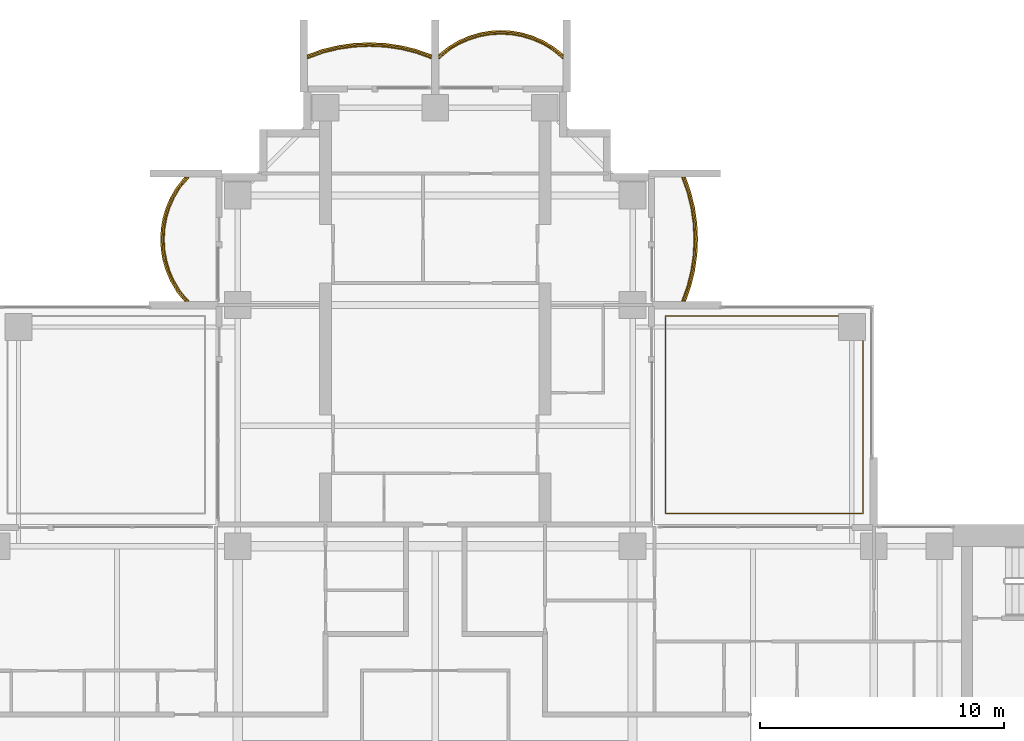
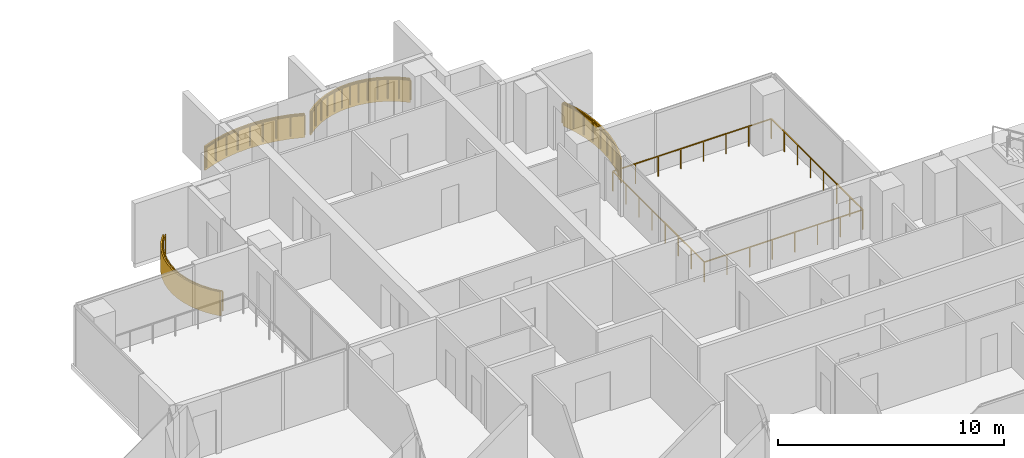
# One storey, part 18 of 18: 5 railings, 4 coverings.
"""IFC4 building model written with IfcOpenShell, lengths in metres."""

from ifc_helpers import new_model, si_unit, direction, frame, origin, origin_2d, place, context, subcontext, project, spatial, polyline, rectangle, outline, extrude, material, layer, layer_set, type_object, element, save


model = new_model("IFC4")

# Units and contexts
model_context = context("Model", 3, precision=1e-05, world=origin(), true_north=direction((0.0, 1.0)))
body_context = subcontext(model_context, "Body", "Model", "MODEL_VIEW")
ifc_project = project(units=[si_unit("LENGTHUNIT", "METRE"), si_unit("AREAUNIT", "SQUARE_METRE"), si_unit("VOLUMEUNIT", "CUBIC_METRE"), si_unit("PLANEANGLEUNIT", "RADIAN"), si_unit("MASSUNIT", "GRAM", prefix="KILO")], contexts=[model_context])

# Site, building, storey
site_placement = place(None, origin())
site = spatial("IfcSite", under=ifc_project, at=site_placement, CompositionType="ELEMENT")
building_placement = place(site_placement, origin())
building = spatial("IfcBuilding", under=site, at=building_placement, Name="Perihelion Cross Residences", CompositionType="ELEMENT")
storey_placement = place(building_placement, frame((0.0, 0.0, 123.39990234375)))
storey = spatial("IfcBuildingStorey", under=building, at=storey_placement, Name="L29", CompositionType="ELEMENT", Elevation=123.39990234375)

# Coverings
ifc_material_1 = material(Name="Bronze anodised aluminium", Category="aluminium")
ifc_layer = layer(ifc_material_1, 0.070068359375)
ifc_layer_set = layer_set([ifc_layer], Name="Balcony fascia 1300")
covering_type = type_object("IfcCoveringType", Name="Balcony fascia 1300", PredefinedType="CLADDING", material=ifc_layer_set)
covering_1_placement = place(storey_placement, frame((0.0, 0.0, -0.199951171875)))
element("IfcCovering", 1, at=covering_1_placement, inside=storey, type_object=covering_type, Name="Fascia BF1 L29 north side east bay 2", PredefinedType="CLADDING", context=body_context, shape_type="SweptSolid", body=[
    extrude(outline(polyline([(10.49072265625, 18.767578125), (10.647216796875, 19.411865234375), (10.739501953125, 20.055908203125), (10.77001953125, 20.699951171875), (10.739501953125, 21.34423828125), (10.647216796875, 21.98828125), (10.49072265625, 22.63232421875), (10.274169921875, 23.25), (10.199951171875, 23.25), (10.423583984375, 22.612548828125), (10.57861328125, 21.97509765625), (10.669921875, 21.33740234375), (10.699951171875, 20.699951171875), (10.669921875, 20.0625), (10.57861328125, 19.425048828125), (10.423583984375, 18.78759765625), (10.199951171875, 18.14990234375), (10.274169921875, 18.14990234375), (10.49072265625, 18.767578125)])), origin(), (0.0, 0.0, 1.0), 1.300048828125),
])
covering_2_placement = place(storey_placement, frame((0.0, 0.0, -0.199951171875)))
element("IfcCovering", 2, at=covering_2_placement, inside=storey, type_object=covering_type, Name="Fascia BF1 L29 north tip north bay 1", PredefinedType="CLADDING", context=body_context, shape_type="SweptSolid", body=[
    extrude(outline(polyline([(4.86474609375, 28.59765625), (4.431884765625, 28.85498046875), (3.998779296875, 29.04248046875), (3.56591796875, 29.170654296875), (3.133056640625, 29.245361328125), (2.699951171875, 29.27001953125), (2.26708984375, 29.245361328125), (1.833984375, 29.170654296875), (1.401123046875, 29.04248046875), (0.96826171875, 28.85498046875), (0.53515625, 28.59765625), (0.14990234375, 28.28955078125), (0.14990234375, 28.199951171875), (0.574951171875, 28.5400390625), (1.0, 28.792724609375), (1.425048828125, 28.9765625), (1.85009765625, 29.1025390625), (2.27490234375, 29.17578125), (2.699951171875, 29.199951171875), (3.125, 29.17578125), (3.550048828125, 29.1025390625), (3.97509765625, 28.9765625), (4.39990234375, 28.792724609375), (4.824951171875, 28.5400390625), (5.25, 28.199951171875), (5.25, 28.28955078125), (4.86474609375, 28.59765625)])), origin(), (0.0, 0.0, 1.0), 1.300048828125),
])
covering_3_placement = place(storey_placement, frame((0.0, 0.0, -0.199951171875)))
element("IfcCovering", 3, at=covering_3_placement, inside=storey, type_object=covering_type, Name="Fascia BF1 L29 north tip north bay 2", PredefinedType="CLADDING", context=body_context, shape_type="SweptSolid", body=[
    extrude(outline(polyline([(-0.767578125, 28.49072265625), (-1.411865234375, 28.647216796875), (-2.055908203125, 28.739501953125), (-2.699951171875, 28.77001953125), (-3.34423828125, 28.739501953125), (-3.98828125, 28.647216796875), (-4.63232421875, 28.49072265625), (-5.25, 28.274169921875), (-5.25, 28.199951171875), (-4.612548828125, 28.423583984375), (-3.97509765625, 28.57861328125), (-3.33740234375, 28.669921875), (-2.699951171875, 28.699951171875), (-2.0625, 28.669921875), (-1.425048828125, 28.57861328125), (-0.78759765625, 28.423583984375), (-0.14990234375, 28.199951171875), (-0.14990234375, 28.274169921875), (-0.767578125, 28.49072265625)])), origin(), (0.0, 0.0, 1.0), 1.300048828125),
])
covering_4_placement = place(storey_placement, frame((0.0, 0.0, -0.199951171875)))
element("IfcCovering", 4, at=covering_4_placement, inside=storey, type_object=covering_type, Name="Fascia BF1 L29 north side west bay 1", PredefinedType="CLADDING", context=body_context, shape_type="SweptSolid", body=[
    extrude(outline(polyline([(-10.59765625, 22.86474609375), (-10.85498046875, 22.431884765625), (-11.04248046875, 21.998779296875), (-11.170654296875, 21.56591796875), (-11.245361328125, 21.133056640625), (-11.27001953125, 20.699951171875), (-11.245361328125, 20.26708984375), (-11.170654296875, 19.833984375), (-11.04248046875, 19.401123046875), (-10.85498046875, 18.96826171875), (-10.59765625, 18.53515625), (-10.28955078125, 18.14990234375), (-10.199951171875, 18.14990234375), (-10.5400390625, 18.574951171875), (-10.792724609375, 19.0), (-10.9765625, 19.425048828125), (-11.1025390625, 19.85009765625), (-11.17578125, 20.27490234375), (-11.199951171875, 20.699951171875), (-11.17578125, 21.125), (-11.1025390625, 21.550048828125), (-10.9765625, 21.97509765625), (-10.792724609375, 22.39990234375), (-10.5400390625, 22.824951171875), (-10.199951171875, 23.25), (-10.28955078125, 23.25), (-10.59765625, 22.86474609375)])), origin(), (0.0, 0.0, 1.0), 1.300048828125),
])

# Railings
ifc_material_2 = material(Name="Bronze anodised aluminium", Category="aluminium")
railing_type = type_object("IfcRailingType", Name="Balcony guard 1100", PredefinedType="GUARDRAIL", material=ifc_material_2)
railing_1_placement = place(storey_placement, frame((10.139892578125, 18.175048828125, 0.0)))
element("IfcRailing", 5, at=railing_1_placement, inside=storey, type_object=railing_type, Name="Guard GU1 L29 north side east bay 2 balcony", PredefinedType="GUARDRAIL", context=body_context, shape_type="SweptSolid", body=[
    extrude(rectangle(XDim=0.048095703125, YDim=0.048095703125, at=origin_2d()), frame((0.0, 0.0, 1.076171875), z_axis=(0.342945217749, 0.939355405384, 0.0), x_axis=(-0.939355405384, 0.342945217749, 0.0)), (0.0, 0.0, 1.0), 0.652099609375),
    extrude(rectangle(XDim=0.048095703125, YDim=0.048095703125, at=origin_2d()), frame((0.2236328125, 0.612548828125, 1.076171875), z_axis=(0.236313594268, 0.971676841941, 0.0), x_axis=(-0.971676841941, 0.236313594268, 0.0)), (0.0, 0.0, 1.0), 0.656005859375),
    extrude(rectangle(XDim=0.048095703125, YDim=0.048095703125, at=origin_2d()), frame((0.378662109375, 1.25, 1.076171875), z_axis=(0.141792889142, 0.989896346386, 0.0), x_axis=(-0.989896346386, 0.141792889142, 0.0)), (0.0, 0.0, 1.0), 0.64404296875),
    extrude(rectangle(XDim=0.048095703125, YDim=0.048095703125, at=origin_2d()), frame((0.469970703125, 1.887451171875, 1.076171875), z_axis=(0.04705620296, 0.998892243319, 0.0), x_axis=(-0.998892243319, 0.04705620296, 0.0)), (0.0, 0.0, 1.0), 0.63818359375),
    extrude(rectangle(XDim=0.048095703125, YDim=0.048095703125, at=origin_2d()), frame((0.5, 2.52490234375, 1.076171875), z_axis=(-0.04705620296, 0.998892243319, 0.0), x_axis=(-0.998892243319, -0.04705620296, 0.0)), (0.0, 0.0, 1.0), 0.63818359375),
    extrude(rectangle(XDim=0.048095703125, YDim=0.048095703125, at=origin_2d()), frame((0.469970703125, 3.162353515625, 1.076171875), z_axis=(-0.141739694763, 0.989903964498, 0.0), x_axis=(-0.989903964498, -0.141739694763, 0.0)), (0.0, 0.0, 1.0), 0.644287109375),
    extrude(rectangle(XDim=0.048095703125, YDim=0.048095703125, at=origin_2d()), frame((0.378662109375, 3.800048828125, 1.076171875), z_axis=(-0.236313594268, 0.971676841941, 0.0), x_axis=(-0.971676841941, -0.236313594268, 0.0)), (0.0, 0.0, 1.0), 0.656005859375),
    extrude(rectangle(XDim=0.048095703125, YDim=0.048095703125, at=origin_2d()), frame((0.2236328125, 4.4375, 1.076171875), z_axis=(-0.342945217749, 0.939355405384, 0.0), x_axis=(-0.939355405384, -0.342945217749, 0.0)), (0.0, 0.0, 1.0), 0.652099609375),
    extrude(rectangle(XDim=0.0419921875, YDim=0.0419921875, at=origin_2d()), origin(), (0.0, 0.0, 1.0), 1.052001953125),
    extrude(rectangle(XDim=0.0419921875, YDim=0.0419921875, at=origin_2d()), frame((0.2236328125, 0.612548828125, 0.0)), (0.0, 0.0, 1.0), 1.052001953125),
    extrude(rectangle(XDim=0.0419921875, YDim=0.0419921875, at=origin_2d()), frame((0.378662109375, 1.25, 0.0)), (0.0, 0.0, 1.0), 1.052001953125),
    extrude(rectangle(XDim=0.0419921875, YDim=0.0419921875, at=origin_2d()), frame((0.469970703125, 1.887451171875, 0.0)), (0.0, 0.0, 1.0), 1.052001953125),
    extrude(rectangle(XDim=0.0419921875, YDim=0.0419921875, at=origin_2d()), frame((0.5, 2.52490234375, 0.0)), (0.0, 0.0, 1.0), 1.052001953125),
    extrude(rectangle(XDim=0.0419921875, YDim=0.0419921875, at=origin_2d()), frame((0.469970703125, 3.162353515625, 0.0)), (0.0, 0.0, 1.0), 1.052001953125),
    extrude(rectangle(XDim=0.0419921875, YDim=0.0419921875, at=origin_2d()), frame((0.378662109375, 3.800048828125, 0.0)), (0.0, 0.0, 1.0), 1.052001953125),
    extrude(rectangle(XDim=0.0419921875, YDim=0.0419921875, at=origin_2d()), frame((0.2236328125, 4.4375, 0.0)), (0.0, 0.0, 1.0), 1.052001953125),
    extrude(rectangle(XDim=0.0419921875, YDim=0.0419921875, at=origin_2d()), frame((0.0, 5.050048828125, 0.0)), (0.0, 0.0, 1.0), 1.052001953125),
])
railing_2_placement = place(storey_placement, frame((5.22509765625, 28.139892578125, 0.0)))
element("IfcRailing", 6, at=railing_2_placement, inside=storey, type_object=railing_type, Name="Guard GU1 L29 north tip north bay 1 balcony", PredefinedType="GUARDRAIL", context=body_context, shape_type="SweptSolid", body=[
    extrude(rectangle(XDim=0.048095703125, YDim=0.048095703125, at=origin_2d()), frame((0.0, 0.0, 1.076171875), z_axis=(-0.761973728849, 0.647607934281, 0.0), x_axis=(-0.647607934281, -0.761973728849, 0.0)), (0.0, 0.0, 1.0), 0.525146484375),
    extrude(rectangle(XDim=0.048095703125, YDim=0.048095703125, at=origin_2d()), frame((-0.400146484375, 0.340087890625, 1.076171875), z_axis=(-0.859576918062, 0.511006381501, 0.0), x_axis=(-0.511006381501, -0.859576918062, 0.0)), (0.0, 0.0, 1.0), 0.494384765625),
    extrude(rectangle(XDim=0.048095703125, YDim=0.048095703125, at=origin_2d()), frame((-0.8251953125, 0.5927734375, 1.076171875), z_axis=(-0.91755562531, 0.397607437634, 0.0), x_axis=(-0.397607437634, -0.91755562531, 0.0)), (0.0, 0.0, 1.0), 0.462890625),
    extrude(rectangle(XDim=0.048095703125, YDim=0.048095703125, at=origin_2d()), frame((-1.25, 0.77685546875, 1.076171875), z_axis=(-0.958925815697, 0.283656975924, 0.0), x_axis=(-0.283656975924, -0.958925815697, 0.0)), (0.0, 0.0, 1.0), 0.443359375),
    extrude(rectangle(XDim=0.048095703125, YDim=0.048095703125, at=origin_2d()), frame((-1.675048828125, 0.902587890625, 1.076171875), z_axis=(-0.985381583142, 0.17036177859, 0.0), x_axis=(-0.17036177859, -0.985381583142, 0.0)), (0.0, 0.0, 1.0), 0.431396484375),
    extrude(rectangle(XDim=0.048095703125, YDim=0.048095703125, at=origin_2d()), frame((-2.10009765625, 0.97607421875, 1.076171875), z_axis=(-0.9984195016, 0.056200523353, 0.0), x_axis=(-0.056200523353, -0.9984195016, 0.0)), (0.0, 0.0, 1.0), 0.42578125),
    extrude(rectangle(XDim=0.048095703125, YDim=0.048095703125, at=origin_2d()), frame((-2.525146484375, 1.0, 1.076171875), z_axis=(-0.9984195016, -0.056200523353, 0.0), x_axis=(0.056200523353, -0.9984195016, 0.0)), (0.0, 0.0, 1.0), 0.42578125),
    extrude(rectangle(XDim=0.048095703125, YDim=0.048095703125, at=origin_2d()), frame((-2.9501953125, 0.97607421875, 1.076171875), z_axis=(-0.985365142702, -0.170456843651, 0.0), x_axis=(0.170456843651, -0.985365142702, 0.0)), (0.0, 0.0, 1.0), 0.43115234375),
    extrude(rectangle(XDim=0.048095703125, YDim=0.048095703125, at=origin_2d()), frame((-3.375, 0.902587890625, 1.076171875), z_axis=(-0.958925815697, -0.283656975924, 0.0), x_axis=(0.283656975924, -0.958925815697, 0.0)), (0.0, 0.0, 1.0), 0.443359375),
    extrude(rectangle(XDim=0.048095703125, YDim=0.048095703125, at=origin_2d()), frame((-3.800048828125, 0.77685546875, 1.076171875), z_axis=(-0.917638931453, -0.397415137459, 0.0), x_axis=(0.397415137459, -0.917638931453, 0.0)), (0.0, 0.0, 1.0), 0.463134765625),
    extrude(rectangle(XDim=0.048095703125, YDim=0.048095703125, at=origin_2d()), frame((-4.22509765625, 0.5927734375, 1.076171875), z_axis=(-0.859576918062, -0.511006381501, 0.0), x_axis=(0.511006381501, -0.859576918062, 0.0)), (0.0, 0.0, 1.0), 0.494384765625),
    extrude(rectangle(XDim=0.048095703125, YDim=0.048095703125, at=origin_2d()), frame((-4.650146484375, 0.340087890625, 1.076171875), z_axis=(-0.761778647315, -0.647837396648, 0.0), x_axis=(0.647837396648, -0.761778647315, 0.0)), (0.0, 0.0, 1.0), 0.52490234375),
    extrude(rectangle(XDim=0.0419921875, YDim=0.0419921875, at=origin_2d()), origin(), (0.0, 0.0, 1.0), 1.052001953125),
    extrude(rectangle(XDim=0.0419921875, YDim=0.0419921875, at=origin_2d()), frame((-0.400146484375, 0.340087890625, 0.0)), (0.0, 0.0, 1.0), 1.052001953125),
    extrude(rectangle(XDim=0.0419921875, YDim=0.0419921875, at=origin_2d()), frame((-0.8251953125, 0.5927734375, 0.0)), (0.0, 0.0, 1.0), 1.052001953125),
    extrude(rectangle(XDim=0.0419921875, YDim=0.0419921875, at=origin_2d()), frame((-1.25, 0.77685546875, 0.0)), (0.0, 0.0, 1.0), 1.052001953125),
    extrude(rectangle(XDim=0.0419921875, YDim=0.0419921875, at=origin_2d()), frame((-1.675048828125, 0.902587890625, 0.0)), (0.0, 0.0, 1.0), 1.052001953125),
    extrude(rectangle(XDim=0.0419921875, YDim=0.0419921875, at=origin_2d()), frame((-2.10009765625, 0.97607421875, 0.0)), (0.0, 0.0, 1.0), 1.052001953125),
    extrude(rectangle(XDim=0.0419921875, YDim=0.0419921875, at=origin_2d()), frame((-2.525146484375, 1.0, 0.0)), (0.0, 0.0, 1.0), 1.052001953125),
    extrude(rectangle(XDim=0.0419921875, YDim=0.0419921875, at=origin_2d()), frame((-2.9501953125, 0.97607421875, 0.0)), (0.0, 0.0, 1.0), 1.052001953125),
    extrude(rectangle(XDim=0.0419921875, YDim=0.0419921875, at=origin_2d()), frame((-3.375, 0.902587890625, 0.0)), (0.0, 0.0, 1.0), 1.052001953125),
    extrude(rectangle(XDim=0.0419921875, YDim=0.0419921875, at=origin_2d()), frame((-3.800048828125, 0.77685546875, 0.0)), (0.0, 0.0, 1.0), 1.052001953125),
    extrude(rectangle(XDim=0.0419921875, YDim=0.0419921875, at=origin_2d()), frame((-4.22509765625, 0.5927734375, 0.0)), (0.0, 0.0, 1.0), 1.052001953125),
    extrude(rectangle(XDim=0.0419921875, YDim=0.0419921875, at=origin_2d()), frame((-4.650146484375, 0.340087890625, 0.0)), (0.0, 0.0, 1.0), 1.052001953125),
    extrude(rectangle(XDim=0.0419921875, YDim=0.0419921875, at=origin_2d()), frame((-5.050048828125, 0.0, 0.0)), (0.0, 0.0, 1.0), 1.052001953125),
])
railing_3_placement = place(storey_placement, frame((-0.175048828125, 28.139892578125, 0.0)))
element("IfcRailing", 7, at=railing_3_placement, inside=storey, type_object=railing_type, Name="Guard GU1 L29 north tip north bay 2 balcony", PredefinedType="GUARDRAIL", context=body_context, shape_type="SweptSolid", body=[
    extrude(rectangle(XDim=0.048095703125, YDim=0.048095703125, at=origin_2d()), frame((0.0, 0.0, 1.076171875), z_axis=(-0.939355405384, 0.342945217749, 0.0), x_axis=(-0.342945217749, -0.939355405384, 0.0)), (0.0, 0.0, 1.0), 0.652099609375),
    extrude(rectangle(XDim=0.048095703125, YDim=0.048095703125, at=origin_2d()), frame((-0.612548828125, 0.2236328125, 1.076171875), z_axis=(-0.971676841941, 0.236313594268, 0.0), x_axis=(-0.236313594268, -0.971676841941, 0.0)), (0.0, 0.0, 1.0), 0.656005859375),
    extrude(rectangle(XDim=0.048095703125, YDim=0.048095703125, at=origin_2d()), frame((-1.25, 0.378662109375, 1.076171875), z_axis=(-0.989896346386, 0.141792889142, 0.0), x_axis=(-0.141792889142, -0.989896346386, 0.0)), (0.0, 0.0, 1.0), 0.64404296875),
    extrude(rectangle(XDim=0.048095703125, YDim=0.048095703125, at=origin_2d()), frame((-1.887451171875, 0.469970703125, 1.076171875), z_axis=(-0.998892243319, 0.04705620296, 0.0), x_axis=(-0.04705620296, -0.998892243319, 0.0)), (0.0, 0.0, 1.0), 0.63818359375),
    extrude(rectangle(XDim=0.048095703125, YDim=0.048095703125, at=origin_2d()), frame((-2.52490234375, 0.5, 1.076171875), z_axis=(-0.998892243319, -0.04705620296, 0.0), x_axis=(0.04705620296, -0.998892243319, 0.0)), (0.0, 0.0, 1.0), 0.63818359375),
    extrude(rectangle(XDim=0.048095703125, YDim=0.048095703125, at=origin_2d()), frame((-3.162353515625, 0.469970703125, 1.076171875), z_axis=(-0.989903964498, -0.141739694763, 0.0), x_axis=(0.141739694763, -0.989903964498, 0.0)), (0.0, 0.0, 1.0), 0.644287109375),
    extrude(rectangle(XDim=0.048095703125, YDim=0.048095703125, at=origin_2d()), frame((-3.800048828125, 0.378662109375, 1.076171875), z_axis=(-0.971676841941, -0.236313594268, 0.0), x_axis=(0.236313594268, -0.971676841941, 0.0)), (0.0, 0.0, 1.0), 0.656005859375),
    extrude(rectangle(XDim=0.048095703125, YDim=0.048095703125, at=origin_2d()), frame((-4.4375, 0.2236328125, 1.076171875), z_axis=(-0.939355405384, -0.342945217749, 0.0), x_axis=(0.342945217749, -0.939355405384, 0.0)), (0.0, 0.0, 1.0), 0.652099609375),
    extrude(rectangle(XDim=0.0419921875, YDim=0.0419921875, at=origin_2d()), origin(), (0.0, 0.0, 1.0), 1.052001953125),
    extrude(rectangle(XDim=0.0419921875, YDim=0.0419921875, at=origin_2d()), frame((-0.612548828125, 0.2236328125, 0.0)), (0.0, 0.0, 1.0), 1.052001953125),
    extrude(rectangle(XDim=0.0419921875, YDim=0.0419921875, at=origin_2d()), frame((-1.25, 0.378662109375, 0.0)), (0.0, 0.0, 1.0), 1.052001953125),
    extrude(rectangle(XDim=0.0419921875, YDim=0.0419921875, at=origin_2d()), frame((-1.887451171875, 0.469970703125, 0.0)), (0.0, 0.0, 1.0), 1.052001953125),
    extrude(rectangle(XDim=0.0419921875, YDim=0.0419921875, at=origin_2d()), frame((-2.52490234375, 0.5, 0.0)), (0.0, 0.0, 1.0), 1.052001953125),
    extrude(rectangle(XDim=0.0419921875, YDim=0.0419921875, at=origin_2d()), frame((-3.162353515625, 0.469970703125, 0.0)), (0.0, 0.0, 1.0), 1.052001953125),
    extrude(rectangle(XDim=0.0419921875, YDim=0.0419921875, at=origin_2d()), frame((-3.800048828125, 0.378662109375, 0.0)), (0.0, 0.0, 1.0), 1.052001953125),
    extrude(rectangle(XDim=0.0419921875, YDim=0.0419921875, at=origin_2d()), frame((-4.4375, 0.2236328125, 0.0)), (0.0, 0.0, 1.0), 1.052001953125),
    extrude(rectangle(XDim=0.0419921875, YDim=0.0419921875, at=origin_2d()), frame((-5.050048828125, 0.0, 0.0)), (0.0, 0.0, 1.0), 1.052001953125),
])
railing_4_placement = place(storey_placement, frame((-10.139892578125, 23.22509765625, 0.0)))
element("IfcRailing", 8, at=railing_4_placement, inside=storey, type_object=railing_type, Name="Guard GU1 L29 north side west bay 1 balcony", PredefinedType="GUARDRAIL", context=body_context, shape_type="SweptSolid", body=[
    extrude(rectangle(XDim=0.048095703125, YDim=0.048095703125, at=origin_2d()), frame((0.0, 0.0, 1.076171875), z_axis=(-0.647607934281, -0.761973728849, 0.0), x_axis=(0.761973728849, -0.647607934281, 0.0)), (0.0, 0.0, 1.0), 0.525146484375),
    extrude(rectangle(XDim=0.048095703125, YDim=0.048095703125, at=origin_2d()), frame((-0.340087890625, -0.400146484375, 1.076171875), z_axis=(-0.511006381501, -0.859576918062, 0.0), x_axis=(0.859576918062, -0.511006381501, 0.0)), (0.0, 0.0, 1.0), 0.494384765625),
    extrude(rectangle(XDim=0.048095703125, YDim=0.048095703125, at=origin_2d()), frame((-0.5927734375, -0.8251953125, 1.076171875), z_axis=(-0.397607437634, -0.91755562531, 0.0), x_axis=(0.91755562531, -0.397607437634, 0.0)), (0.0, 0.0, 1.0), 0.462890625),
    extrude(rectangle(XDim=0.048095703125, YDim=0.048095703125, at=origin_2d()), frame((-0.77685546875, -1.25, 1.076171875), z_axis=(-0.283656975924, -0.958925815697, 0.0), x_axis=(0.958925815697, -0.283656975924, 0.0)), (0.0, 0.0, 1.0), 0.443359375),
    extrude(rectangle(XDim=0.048095703125, YDim=0.048095703125, at=origin_2d()), frame((-0.902587890625, -1.675048828125, 1.076171875), z_axis=(-0.17036177859, -0.985381583142, 0.0), x_axis=(0.985381583142, -0.17036177859, 0.0)), (0.0, 0.0, 1.0), 0.431396484375),
    extrude(rectangle(XDim=0.048095703125, YDim=0.048095703125, at=origin_2d()), frame((-0.97607421875, -2.10009765625, 1.076171875), z_axis=(-0.056200523353, -0.9984195016, 0.0), x_axis=(0.9984195016, -0.056200523353, 0.0)), (0.0, 0.0, 1.0), 0.42578125),
    extrude(rectangle(XDim=0.048095703125, YDim=0.048095703125, at=origin_2d()), frame((-1.0, -2.525146484375, 1.076171875), z_axis=(0.056200523353, -0.9984195016, 0.0), x_axis=(0.9984195016, 0.056200523353, 0.0)), (0.0, 0.0, 1.0), 0.42578125),
    extrude(rectangle(XDim=0.048095703125, YDim=0.048095703125, at=origin_2d()), frame((-0.97607421875, -2.9501953125, 1.076171875), z_axis=(0.170456843651, -0.985365142702, 0.0), x_axis=(0.985365142702, 0.170456843651, 0.0)), (0.0, 0.0, 1.0), 0.43115234375),
    extrude(rectangle(XDim=0.048095703125, YDim=0.048095703125, at=origin_2d()), frame((-0.902587890625, -3.375, 1.076171875), z_axis=(0.283656975924, -0.958925815697, 0.0), x_axis=(0.958925815697, 0.283656975924, 0.0)), (0.0, 0.0, 1.0), 0.443359375),
    extrude(rectangle(XDim=0.048095703125, YDim=0.048095703125, at=origin_2d()), frame((-0.77685546875, -3.800048828125, 1.076171875), z_axis=(0.397415137459, -0.917638931453, 0.0), x_axis=(0.917638931453, 0.397415137459, 0.0)), (0.0, 0.0, 1.0), 0.463134765625),
    extrude(rectangle(XDim=0.048095703125, YDim=0.048095703125, at=origin_2d()), frame((-0.5927734375, -4.22509765625, 1.076171875), z_axis=(0.511006381501, -0.859576918062, 0.0), x_axis=(0.859576918062, 0.511006381501, 0.0)), (0.0, 0.0, 1.0), 0.494384765625),
    extrude(rectangle(XDim=0.048095703125, YDim=0.048095703125, at=origin_2d()), frame((-0.340087890625, -4.650146484375, 1.076171875), z_axis=(0.647837396648, -0.761778647315, 0.0), x_axis=(0.761778647315, 0.647837396648, 0.0)), (0.0, 0.0, 1.0), 0.52490234375),
    extrude(rectangle(XDim=0.0419921875, YDim=0.0419921875, at=origin_2d()), origin(), (0.0, 0.0, 1.0), 1.052001953125),
    extrude(rectangle(XDim=0.0419921875, YDim=0.0419921875, at=origin_2d()), frame((-0.340087890625, -0.400146484375, 0.0)), (0.0, 0.0, 1.0), 1.052001953125),
    extrude(rectangle(XDim=0.0419921875, YDim=0.0419921875, at=origin_2d()), frame((-0.5927734375, -0.8251953125, 0.0)), (0.0, 0.0, 1.0), 1.052001953125),
    extrude(rectangle(XDim=0.0419921875, YDim=0.0419921875, at=origin_2d()), frame((-0.77685546875, -1.25, 0.0)), (0.0, 0.0, 1.0), 1.052001953125),
    extrude(rectangle(XDim=0.0419921875, YDim=0.0419921875, at=origin_2d()), frame((-0.902587890625, -1.675048828125, 0.0)), (0.0, 0.0, 1.0), 1.052001953125),
    extrude(rectangle(XDim=0.0419921875, YDim=0.0419921875, at=origin_2d()), frame((-0.97607421875, -2.10009765625, 0.0)), (0.0, 0.0, 1.0), 1.052001953125),
    extrude(rectangle(XDim=0.0419921875, YDim=0.0419921875, at=origin_2d()), frame((-1.0, -2.525146484375, 0.0)), (0.0, 0.0, 1.0), 1.052001953125),
    extrude(rectangle(XDim=0.0419921875, YDim=0.0419921875, at=origin_2d()), frame((-0.97607421875, -2.9501953125, 0.0)), (0.0, 0.0, 1.0), 1.052001953125),
    extrude(rectangle(XDim=0.0419921875, YDim=0.0419921875, at=origin_2d()), frame((-0.902587890625, -3.375, 0.0)), (0.0, 0.0, 1.0), 1.052001953125),
    extrude(rectangle(XDim=0.0419921875, YDim=0.0419921875, at=origin_2d()), frame((-0.77685546875, -3.800048828125, 0.0)), (0.0, 0.0, 1.0), 1.052001953125),
    extrude(rectangle(XDim=0.0419921875, YDim=0.0419921875, at=origin_2d()), frame((-0.5927734375, -4.22509765625, 0.0)), (0.0, 0.0, 1.0), 1.052001953125),
    extrude(rectangle(XDim=0.0419921875, YDim=0.0419921875, at=origin_2d()), frame((-0.340087890625, -4.650146484375, 0.0)), (0.0, 0.0, 1.0), 1.052001953125),
    extrude(rectangle(XDim=0.0419921875, YDim=0.0419921875, at=origin_2d()), frame((0.0, -5.050048828125, 0.0)), (0.0, 0.0, 1.0), 1.052001953125),
])
railing_5_placement = place(storey_placement, frame((17.550048828125, 9.449951171875, 0.0)))
element("IfcRailing", 9, at=railing_5_placement, inside=storey, type_object=railing_type, Name="Guard GU1 L29 pocket north-east 1", PredefinedType="GUARDRAIL", context=body_context, shape_type="SweptSolid", body=[
    extrude(rectangle(XDim=0.048095703125, YDim=0.048095703125, at=origin_2d()), frame((0.0, 0.0, 1.076171875), z_axis=(-1.0, 0.0, 0.0), x_axis=(0.0, -1.0, 0.0)), (0.0, 0.0, 1.0), 8.10009765625),
    extrude(rectangle(XDim=0.048095703125, YDim=0.048095703125, at=origin_2d()), frame((-8.10009765625, 0.0, 1.076171875), z_axis=(0.0, 1.0, 0.0), x_axis=(-1.0, 0.0, 0.0)), (0.0, 0.0, 1.0), 8.10009765625),
    extrude(rectangle(XDim=0.048095703125, YDim=0.048095703125, at=origin_2d()), frame((-8.10009765625, 8.10009765625, 1.076171875), z_axis=(1.0, 0.0, 0.0), x_axis=(0.0, 1.0, 0.0)), (0.0, 0.0, 1.0), 8.10009765625),
    extrude(rectangle(XDim=0.048095703125, YDim=0.048095703125, at=origin_2d()), frame((0.0, 8.10009765625, 1.076171875), z_axis=(0.0, -1.0, 0.0), x_axis=(1.0, 0.0, 0.0)), (0.0, 0.0, 1.0), 8.10009765625),
    extrude(rectangle(XDim=0.0419921875, YDim=0.0419921875, at=origin_2d()), origin(), (0.0, 0.0, 1.0), 1.052001953125),
    extrude(rectangle(XDim=0.0419921875, YDim=0.0419921875, at=origin_2d()), frame((-1.1572265625, 0.0, 0.0)), (0.0, 0.0, 1.0), 1.052001953125),
    extrude(rectangle(XDim=0.0419921875, YDim=0.0419921875, at=origin_2d()), frame((-2.314208984375, 0.0, 0.0)), (0.0, 0.0, 1.0), 1.052001953125),
    extrude(rectangle(XDim=0.0419921875, YDim=0.0419921875, at=origin_2d()), frame((-3.471435546875, 0.0, 0.0)), (0.0, 0.0, 1.0), 1.052001953125),
    extrude(rectangle(XDim=0.0419921875, YDim=0.0419921875, at=origin_2d()), frame((-4.628662109375, 0.0, 0.0)), (0.0, 0.0, 1.0), 1.052001953125),
    extrude(rectangle(XDim=0.0419921875, YDim=0.0419921875, at=origin_2d()), frame((-5.785888671875, 0.0, 0.0)), (0.0, 0.0, 1.0), 1.052001953125),
    extrude(rectangle(XDim=0.0419921875, YDim=0.0419921875, at=origin_2d()), frame((-6.94287109375, 0.0, 0.0)), (0.0, 0.0, 1.0), 1.052001953125),
    extrude(rectangle(XDim=0.0419921875, YDim=0.0419921875, at=origin_2d()), frame((-8.10009765625, 0.0, 0.0)), (0.0, 0.0, 1.0), 1.052001953125),
    extrude(rectangle(XDim=0.0419921875, YDim=0.0419921875, at=origin_2d()), frame((-8.10009765625, 1.1572265625, 0.0)), (0.0, 0.0, 1.0), 1.052001953125),
    extrude(rectangle(XDim=0.0419921875, YDim=0.0419921875, at=origin_2d()), frame((-8.10009765625, 2.314208984375, 0.0)), (0.0, 0.0, 1.0), 1.052001953125),
    extrude(rectangle(XDim=0.0419921875, YDim=0.0419921875, at=origin_2d()), frame((-8.10009765625, 3.471435546875, 0.0)), (0.0, 0.0, 1.0), 1.052001953125),
    extrude(rectangle(XDim=0.0419921875, YDim=0.0419921875, at=origin_2d()), frame((-8.10009765625, 4.628662109375, 0.0)), (0.0, 0.0, 1.0), 1.052001953125),
    extrude(rectangle(XDim=0.0419921875, YDim=0.0419921875, at=origin_2d()), frame((-8.10009765625, 5.785888671875, 0.0)), (0.0, 0.0, 1.0), 1.052001953125),
    extrude(rectangle(XDim=0.0419921875, YDim=0.0419921875, at=origin_2d()), frame((-8.10009765625, 6.94287109375, 0.0)), (0.0, 0.0, 1.0), 1.052001953125),
    extrude(rectangle(XDim=0.0419921875, YDim=0.0419921875, at=origin_2d()), frame((-8.10009765625, 8.10009765625, 0.0)), (0.0, 0.0, 1.0), 1.052001953125),
    extrude(rectangle(XDim=0.0419921875, YDim=0.0419921875, at=origin_2d()), frame((-6.94287109375, 8.10009765625, 0.0)), (0.0, 0.0, 1.0), 1.052001953125),
    extrude(rectangle(XDim=0.0419921875, YDim=0.0419921875, at=origin_2d()), frame((-5.785888671875, 8.10009765625, 0.0)), (0.0, 0.0, 1.0), 1.052001953125),
    extrude(rectangle(XDim=0.0419921875, YDim=0.0419921875, at=origin_2d()), frame((-4.628662109375, 8.10009765625, 0.0)), (0.0, 0.0, 1.0), 1.052001953125),
    extrude(rectangle(XDim=0.0419921875, YDim=0.0419921875, at=origin_2d()), frame((-3.471435546875, 8.10009765625, 0.0)), (0.0, 0.0, 1.0), 1.052001953125),
    extrude(rectangle(XDim=0.0419921875, YDim=0.0419921875, at=origin_2d()), frame((-2.314208984375, 8.10009765625, 0.0)), (0.0, 0.0, 1.0), 1.052001953125),
    extrude(rectangle(XDim=0.0419921875, YDim=0.0419921875, at=origin_2d()), frame((-1.1572265625, 8.10009765625, 0.0)), (0.0, 0.0, 1.0), 1.052001953125),
    extrude(rectangle(XDim=0.0419921875, YDim=0.0419921875, at=origin_2d()), frame((0.0, 8.10009765625, 0.0)), (0.0, 0.0, 1.0), 1.052001953125),
    extrude(rectangle(XDim=0.0419921875, YDim=0.0419921875, at=origin_2d()), frame((0.0, 6.94287109375, 0.0)), (0.0, 0.0, 1.0), 1.052001953125),
    extrude(rectangle(XDim=0.0419921875, YDim=0.0419921875, at=origin_2d()), frame((0.0, 5.785888671875, 0.0)), (0.0, 0.0, 1.0), 1.052001953125),
    extrude(rectangle(XDim=0.0419921875, YDim=0.0419921875, at=origin_2d()), frame((0.0, 4.628662109375, 0.0)), (0.0, 0.0, 1.0), 1.052001953125),
    extrude(rectangle(XDim=0.0419921875, YDim=0.0419921875, at=origin_2d()), frame((0.0, 3.471435546875, 0.0)), (0.0, 0.0, 1.0), 1.052001953125),
    extrude(rectangle(XDim=0.0419921875, YDim=0.0419921875, at=origin_2d()), frame((0.0, 2.314208984375, 0.0)), (0.0, 0.0, 1.0), 1.052001953125),
    extrude(rectangle(XDim=0.0419921875, YDim=0.0419921875, at=origin_2d()), frame((0.0, 1.1572265625, 0.0)), (0.0, 0.0, 1.0), 1.052001953125),
])

save(model, "model.ifc")
